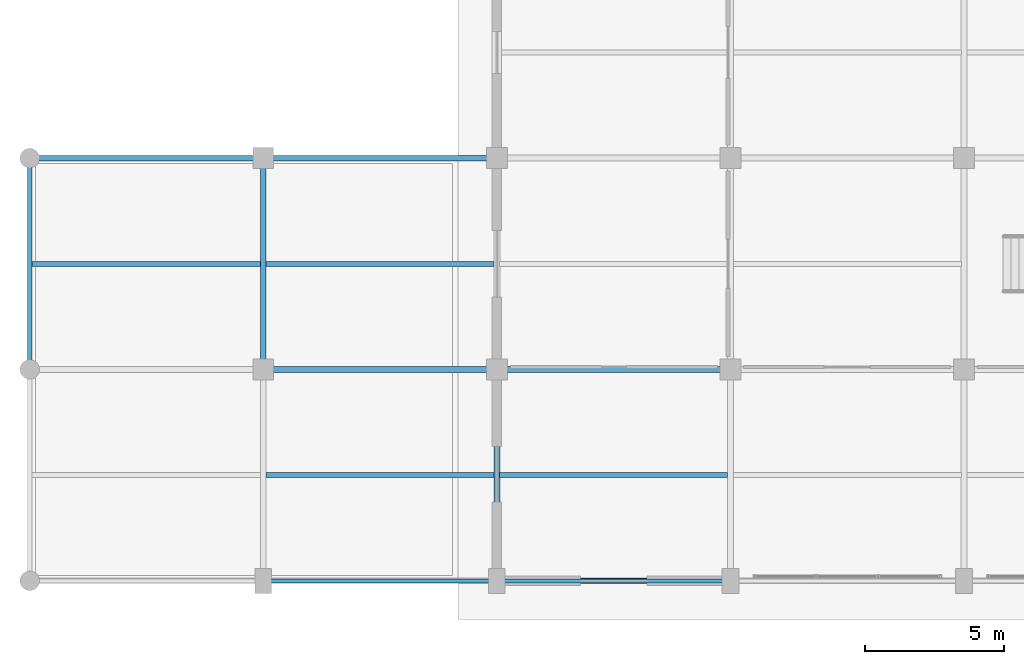
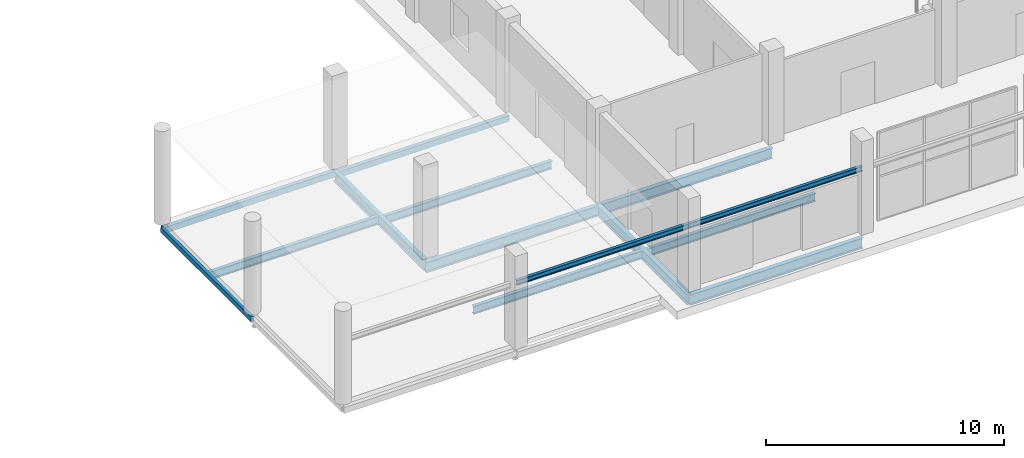
# One storey, part 2 of 36: 14 beams.
"""IFC4 building model written with IfcOpenShell, lengths in metres."""

from ifc_helpers import new_model, si_unit, direction, frame, origin, origin_2d, place, context, subcontext, project, spatial, hollow_rectangle, i_section, extrude, material, material_profile, profile_set, type_object, element, save


model = new_model("IFC4")

# Units and contexts
model_context = context("Model", 3, precision=1e-05, world=origin(), true_north=direction((0.0, 1.0)))
body_context = subcontext(model_context, "Body", "Model", "MODEL_VIEW")
ifc_project = project(units=[si_unit("LENGTHUNIT", "METRE"), si_unit("AREAUNIT", "SQUARE_METRE"), si_unit("VOLUMEUNIT", "CUBIC_METRE"), si_unit("PLANEANGLEUNIT", "RADIAN"), si_unit("MASSUNIT", "GRAM", prefix="KILO")], contexts=[model_context])

# Site, building, storey
site_placement = place(None, origin())
site = spatial("IfcSite", under=ifc_project, at=site_placement, CompositionType="ELEMENT")
building_placement = place(site_placement, origin())
building = spatial("IfcBuilding", under=site, at=building_placement, Name="Zuvorla Pavilion Media Centre", CompositionType="ELEMENT")
storey_placement = place(building_placement, origin())
storey = spatial("IfcBuildingStorey", under=building, at=storey_placement, Name="L00", CompositionType="ELEMENT", Elevation=0.0)

# Beams
ifc_material = material(Name="Steel S355", Category="steel")
ifc_material_profile_1 = material_profile(ifc_material, hollow_rectangle(XDim=0.14990234375, YDim=0.25, WallThickness=0.010009765625, at=origin_2d()), Name="RHS 250x150x10")
ifc_profile_set_1 = profile_set([ifc_material_profile_1], Name="Steel S355")
beam_type_1 = type_object("IfcBeamType", Name="BM-SP-RHS250", PredefinedType="SPANDREL", material=ifc_profile_set_1)
beam_1_placement = place(storey_placement, frame((8.0, 13.60009765625, -0.452880859375), z_axis=(0.0, 1.0, 0.0), x_axis=(-1.0, 0.0, 0.0)))
element("IfcBeam", 1, at=beam_1_placement, inside=storey, type_object=beam_type_1, Name="L00 spandrel SP02 160", PredefinedType="SPANDREL", context=body_context, shape_type="SweptSolid", body=[
    extrude(hollow_rectangle(XDim=0.14990234375, YDim=0.25, WallThickness=0.010009765625, at=origin_2d()), origin(), (0.0, 0.0, 1.0), 7.599853515625),
])
ifc_material_profile_2 = material_profile(ifc_material, hollow_rectangle(XDim=0.199951171875, YDim=0.300048828125, WallThickness=0.012451171875, at=origin_2d()), Name="RHS 300x200x12.5")
ifc_profile_set_2 = profile_set([ifc_material_profile_2], Name="Steel S355")
beam_type_2 = type_object("IfcBeamType", Name="BM-SP-RHS300", PredefinedType="SPANDREL", material=ifc_profile_set_2)
beam_2_placement = place(storey_placement, frame((8.0, 21.199951171875, -0.47802734375), z_axis=(1.0, 0.0, 0.0), x_axis=(0.0, 1.0, 0.0)))
element("IfcBeam", 2, at=beam_2_placement, inside=storey, type_object=beam_type_2, Name="L00 spandrel SP01 35", PredefinedType="SPANDREL", context=body_context, shape_type="SweptSolid", body=[
    extrude(hollow_rectangle(XDim=0.199951171875, YDim=0.300048828125, WallThickness=0.012451171875, at=origin_2d()), origin(), (0.0, 0.0, 1.0), 8.39990234375),
])
beam_3_placement = place(storey_placement, frame((16.39990234375, 21.199951171875, -0.577880859375), z_axis=(1.0, 0.0, 0.0), x_axis=(0.0, 1.0, 0.0)))
element("IfcBeam", 3, at=beam_3_placement, inside=storey, type_object=beam_type_2, Name="L00 spandrel SP01 36", PredefinedType="SPANDREL", context=body_context, shape_type="SweptSolid", body=[
    extrude(hollow_rectangle(XDim=0.199951171875, YDim=0.300048828125, WallThickness=0.012451171875, at=origin_2d()), origin(), (0.0, 0.0, 1.0), 8.400146484375),
])
ifc_material_profile_3 = material_profile(ifc_material, i_section(OverallWidth=0.146484375, OverallDepth=0.256103515625, WebThickness=0.00634765625, FlangeThickness=0.010986328125, FilletRadius=0.007568359375, at=origin_2d()), Name="UB 254x146x37")
ifc_profile_set_3 = profile_set([ifc_material_profile_3], Name="Steel S355")
beam_type_3 = type_object("IfcBeamType", Name="BM-UB254", PredefinedType="LINTEL", material=ifc_profile_set_3)
beam_4_placement = place(storey_placement, frame((16.39990234375, 6.0, 3.10009765625), z_axis=(1.0, 0.0, 0.0), x_axis=(0.0, 1.0, 0.0)))
element("IfcBeam", 4, at=beam_4_placement, inside=storey, type_object=beam_type_3, Name="L00 lintel LN01 1752", PredefinedType="LINTEL", context=body_context, shape_type="SweptSolid", body=[
    extrude(i_section(OverallWidth=0.146484375, OverallDepth=0.256103515625, WebThickness=0.00634765625, FlangeThickness=0.010986328125, FilletRadius=0.007568359375, at=origin_2d()), origin(), (0.0, 0.0, 1.0), 8.400146484375),
])
beam_5_placement = place(storey_placement, frame((24.800048828125, 6.0, 3.10009765625), z_axis=(1.0, 0.0, 0.0), x_axis=(0.0, 1.0, 0.0)))
element("IfcBeam", 5, at=beam_5_placement, inside=storey, type_object=beam_type_3, Name="L00 lintel LN01 1753", PredefinedType="LINTEL", context=body_context, shape_type="SweptSolid", body=[
    extrude(i_section(OverallWidth=0.146484375, OverallDepth=0.256103515625, WebThickness=0.00634765625, FlangeThickness=0.010986328125, FilletRadius=0.007568359375, at=origin_2d()), origin(), (0.0, 0.0, 1.0), 8.39990234375),
])
ifc_material_profile_4 = material_profile(ifc_material, i_section(OverallWidth=0.1787109375, OverallDepth=0.409423828125, WebThickness=0.0087890625, FlangeThickness=0.014404296875, FilletRadius=0.01025390625, at=origin_2d()), Name="UB 406x178x67")
ifc_profile_set_4 = profile_set([ifc_material_profile_4], Name="Steel S355")
beam_type_4 = type_object("IfcBeamType", Name="BM-UB406", PredefinedType="JOIST", material=ifc_profile_set_4)
beam_6_placement = place(storey_placement, frame((8.080078125, 17.39990234375, -0.53271484375), z_axis=(1.0, 0.0, 0.0), x_axis=(0.0, 1.0, 0.0)))
element("IfcBeam", 6, at=beam_6_placement, inside=storey, type_object=beam_type_4, Name="L00 joist J02 318", PredefinedType="JOIST", context=body_context, shape_type="SweptSolid", body=[
    extrude(i_section(OverallWidth=0.1787109375, OverallDepth=0.409423828125, WebThickness=0.0087890625, FlangeThickness=0.014404296875, FilletRadius=0.01025390625, at=origin_2d()), origin(), (0.0, 0.0, 1.0), 8.219970703125),
])
for number, where, z_axis, x_axis, name in (
    (7, (16.5, 9.800048828125, -0.6328125), (1.0, 0.0, 0.0), (0.0, 1.0, 0.0), "L00 joist J02 319"),
    (8, (16.5, 17.39990234375, -0.6328125), (1.0, 0.0, 0.0), (0.0, 1.0, 0.0), "L00 joist J02 320"),
):
    element("IfcBeam", number, at=place(storey_placement, frame(where, z_axis=z_axis, x_axis=x_axis)), inside=storey, type_object=beam_type_4, Name=name, PredefinedType="JOIST", context=body_context, shape_type="SweptSolid", body=[
        extrude(i_section(OverallWidth=0.1787109375, OverallDepth=0.409423828125, WebThickness=0.0087890625, FlangeThickness=0.014404296875, FilletRadius=0.01025390625, at=origin_2d()), origin(), (0.0, 0.0, 1.0), 8.199951171875),
    ])
beam_7_placement = place(storey_placement, frame((24.89990234375, 9.800048828125, -0.6328125), z_axis=(1.0, 0.0, 0.0), x_axis=(0.0, 1.0, 0.0)))
element("IfcBeam", 9, at=beam_7_placement, inside=storey, type_object=beam_type_4, Name="L00 joist J02 323", PredefinedType="JOIST", context=body_context, shape_type="SweptSolid", body=[
    extrude(i_section(OverallWidth=0.1787109375, OverallDepth=0.409423828125, WebThickness=0.0087890625, FlangeThickness=0.014404296875, FilletRadius=0.01025390625, at=origin_2d()), origin(), (0.0, 0.0, 1.0), 8.2001953125),
])
ifc_material_profile_5 = material_profile(ifc_material, i_section(OverallWidth=0.2099609375, OverallDepth=0.53662109375, WebThickness=0.0107421875, FlangeThickness=0.017333984375, FilletRadius=0.0126953125, at=origin_2d()), Name="UB 533x210x101")
ifc_profile_set_5 = profile_set([ifc_material_profile_5], Name="Steel S355")
beam_type_5 = type_object("IfcBeamType", Name="BM-UB533", PredefinedType="BEAM", material=ifc_profile_set_5)
beam_8_placement = place(storey_placement, frame((24.800048828125, 6.0, -0.6962890625), z_axis=(1.0, 0.0, 0.0), x_axis=(0.0, 1.0, 0.0)))
element("IfcBeam", 10, at=beam_8_placement, inside=storey, type_object=beam_type_5, Name="L00 beam B08 3", PredefinedType="BEAM", context=body_context, shape_type="SweptSolid", body=[
    extrude(i_section(OverallWidth=0.2099609375, OverallDepth=0.53662109375, WebThickness=0.0107421875, FlangeThickness=0.017333984375, FilletRadius=0.0126953125, at=origin_2d()), origin(), (0.0, 0.0, 1.0), 8.39990234375),
])
beam_9_placement = place(storey_placement, frame((16.39990234375, 13.60009765625, -0.6962890625), z_axis=(1.0, 0.0, 0.0), x_axis=(0.0, 1.0, 0.0)))
element("IfcBeam", 11, at=beam_9_placement, inside=storey, type_object=beam_type_5, Name="L00 beam B08 19", PredefinedType="BEAM", context=body_context, shape_type="SweptSolid", body=[
    extrude(i_section(OverallWidth=0.2099609375, OverallDepth=0.53662109375, WebThickness=0.0107421875, FlangeThickness=0.017333984375, FilletRadius=0.0126953125, at=origin_2d()), origin(), (0.0, 0.0, 1.0), 8.400146484375),
])
beam_10_placement = place(storey_placement, frame((24.800048828125, 13.60009765625, -0.6962890625), z_axis=(1.0, 0.0, 0.0), x_axis=(0.0, 1.0, 0.0)))
element("IfcBeam", 12, at=beam_10_placement, inside=storey, type_object=beam_type_5, Name="L00 beam B08 20", PredefinedType="BEAM", context=body_context, shape_type="SweptSolid", body=[
    extrude(i_section(OverallWidth=0.2099609375, OverallDepth=0.53662109375, WebThickness=0.0107421875, FlangeThickness=0.017333984375, FilletRadius=0.0126953125, at=origin_2d()), origin(), (0.0, 0.0, 1.0), 8.39990234375),
])
beam_11_placement = place(storey_placement, frame((16.39990234375, 13.60009765625, -0.59619140625), z_axis=(0.0, 1.0, 0.0), x_axis=(-1.0, 0.0, 0.0)))
element("IfcBeam", 13, at=beam_11_placement, inside=storey, type_object=beam_type_5, Name="L00 beam B08 162", PredefinedType="BEAM", context=body_context, shape_type="SweptSolid", body=[
    extrude(i_section(OverallWidth=0.2099609375, OverallDepth=0.53662109375, WebThickness=0.0107421875, FlangeThickness=0.017333984375, FilletRadius=0.0126953125, at=origin_2d()), origin(), (0.0, 0.0, 1.0), 7.599853515625),
])
beam_12_placement = place(storey_placement, frame((24.800048828125, 6.0, -0.6962890625), z_axis=(0.0, 1.0, 0.0), x_axis=(-1.0, 0.0, 0.0)))
element("IfcBeam", 14, at=beam_12_placement, inside=storey, type_object=beam_type_5, Name="L00 beam B08 171", PredefinedType="BEAM", context=body_context, shape_type="SweptSolid", body=[
    extrude(i_section(OverallWidth=0.2099609375, OverallDepth=0.53662109375, WebThickness=0.0107421875, FlangeThickness=0.017333984375, FilletRadius=0.0126953125, at=origin_2d()), origin(), (0.0, 0.0, 1.0), 7.60009765625),
])

save(model, "model.ifc")
